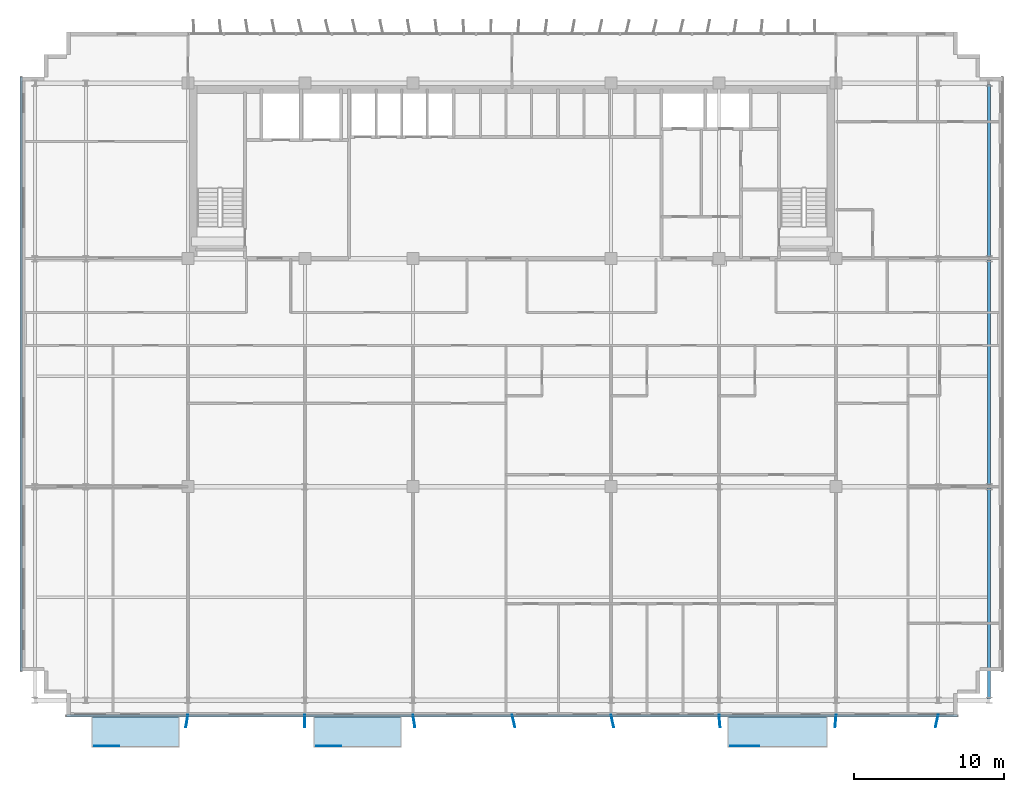
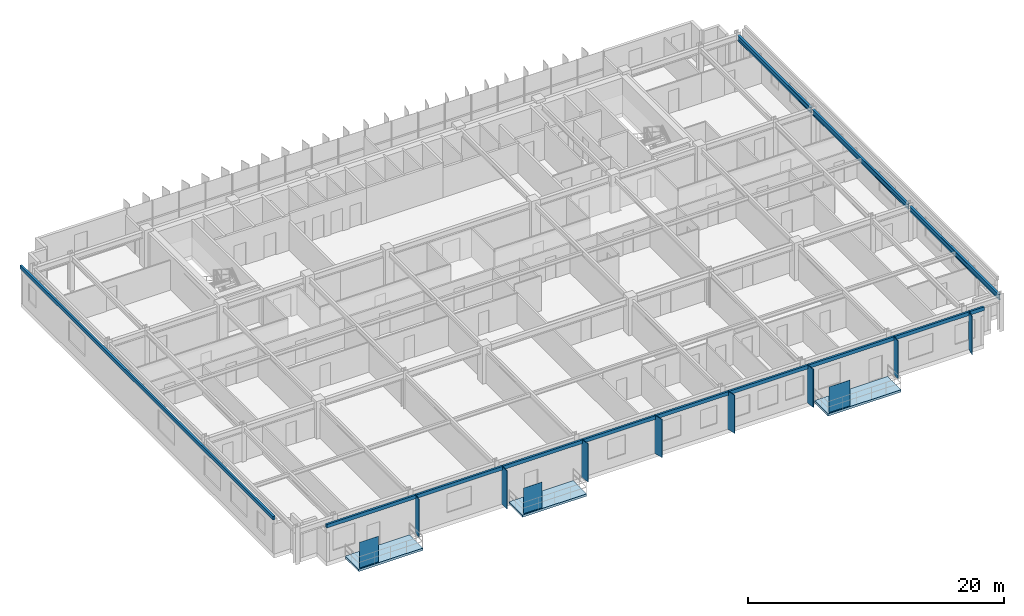
# One storey, part 12 of 22: 13 plates, 3 beams, 3 slabs.
"""IFC4 building model written with IfcOpenShell, lengths in metres."""

from ifc_helpers import new_model, si_unit, direction, frame, origin, origin_2d, place, context, subcontext, project, spatial, polyline, rectangle, i_section, outline, extrude, source, transform, mapped, material, layer, layer_set, material_profile, profile_set, type_object, element, save


model = new_model("IFC4")

# Units and contexts
model_context = context("Model", 3, precision=1e-05, world=origin(), true_north=direction((0.0, 1.0)))
body_context = subcontext(model_context, "Body", "Model", "MODEL_VIEW")
ifc_project = project(units=[si_unit("LENGTHUNIT", "METRE"), si_unit("AREAUNIT", "SQUARE_METRE"), si_unit("VOLUMEUNIT", "CUBIC_METRE"), si_unit("PLANEANGLEUNIT", "RADIAN"), si_unit("MASSUNIT", "GRAM", prefix="KILO")], contexts=[model_context])

# Site, building, storey
site_placement = place(None, origin())
site = spatial("IfcSite", under=ifc_project, at=site_placement, CompositionType="ELEMENT")
building_placement = place(site_placement, origin())
building = spatial("IfcBuilding", under=site, at=building_placement, Name="Trelvane Seafront Commons", CompositionType="ELEMENT")
storey_placement = place(building_placement, frame((0.0, 0.0, 81.699951171875)))
storey = spatial("IfcBuildingStorey", under=building, at=storey_placement, Name="L20", CompositionType="ELEMENT", Elevation=81.699951171875)

# Beams
ifc_material_1 = material(Name="Steel SM355 (S355)", Category="steel")
ifc_material_profile = material_profile(ifc_material_1, i_section(OverallWidth=0.199951171875, OverallDepth=0.5, WebThickness=0.010009765625, FlangeThickness=0.01611328125, at=origin_2d()), Name="H-500x200x10x16")
ifc_profile_set = profile_set([ifc_material_profile], Name="Steel SM355 (S355)")
beam_type = type_object("IfcBeamType", Name="STR-BM-H500", PredefinedType="BEAM", material=ifc_profile_set)
shared_shape_1 = source(origin(), body_context, "Body", "SweptSolid", [
    extrude(i_section(OverallWidth=0.199951171875, OverallDepth=0.5, WebThickness=0.010009765625, FlangeThickness=0.01611328125, at=origin_2d()), origin(), (0.0, 0.0, 1.0), 14.050048828125),
])
beam_1_placement = place(storey_placement, frame((69.0, 4.050048828125, 3.090087890625), z_axis=(0.0, 1.0, 0.0), x_axis=(-1.0, 0.0, 0.0)))
element("IfcBeam", 1, at=beam_1_placement, inside=storey, type_object=beam_type, Name="L20 Primary Girder G-64", PredefinedType="BEAM", context=body_context, shape_type="MappedRepresentation", body=[
    mapped(shared_shape_1, transform((0.0, 0.0, 0.0), x_axis=(1.0, 0.0, 0.0), y_axis=(0.0, 1.0, 0.0), z_axis=(0.0, 0.0, 1.0), scale=1.0)),
])
shared_shape_2 = source(origin(), body_context, "Body", "SweptSolid", [
    extrude(i_section(OverallWidth=0.199951171875, OverallDepth=0.5, WebThickness=0.010009765625, FlangeThickness=0.01611328125, at=origin_2d()), origin(), (0.0, 0.0, 1.0), 15.0),
])
beam_2_placement = place(storey_placement, frame((69.0, 18.300048828125, 3.090087890625), z_axis=(0.0, 1.0, 0.0), x_axis=(-1.0, 0.0, 0.0)))
element("IfcBeam", 2, at=beam_2_placement, inside=storey, type_object=beam_type, Name="L20 Primary Girder G-65", PredefinedType="BEAM", context=body_context, shape_type="MappedRepresentation", body=[
    mapped(shared_shape_2, transform((0.0, 0.0, 0.0), x_axis=(1.0, 0.0, 0.0), y_axis=(0.0, 1.0, 0.0), z_axis=(0.0, 0.0, 1.0), scale=1.0)),
])
shared_shape_3 = source(origin(), body_context, "Body", "SweptSolid", [
    extrude(i_section(OverallWidth=0.199951171875, OverallDepth=0.5, WebThickness=0.010009765625, FlangeThickness=0.01611328125, at=origin_2d()), origin(), (0.0, 0.0, 1.0), 11.5),
])
beam_3_placement = place(storey_placement, frame((69.0, 33.5, 3.090087890625), z_axis=(0.0, 1.0, 0.0), x_axis=(-1.0, 0.0, 0.0)))
element("IfcBeam", 3, at=beam_3_placement, inside=storey, type_object=beam_type, Name="L20 Primary Girder G-66", PredefinedType="BEAM", context=body_context, shape_type="MappedRepresentation", body=[
    mapped(shared_shape_3, transform((0.0, 0.0, 0.0), x_axis=(1.0, 0.0, 0.0), y_axis=(0.0, 1.0, 0.0), z_axis=(0.0, 0.0, 1.0), scale=1.0)),
])

# Slabs
ifc_material_2 = material(Name="Concrete C40/50", Category="concrete")
ifc_layer_1 = layer(ifc_material_2, 0.219970703125, Name="ARCH-BALC-220")
ifc_layer_set_1 = layer_set([ifc_layer_1], Name="Concrete C40/50")
slab_type = type_object("IfcSlabType", Name="ARCH-BALC-220", PredefinedType="FLOOR", material=ifc_layer_set_1)
slab_1_placement = place(storey_placement, frame((0.0, 0.0, -0.219970703125)))
element("IfcSlab", 4, at=slab_1_placement, inside=storey, type_object=slab_type, Name="L20 Cantilevered Tree Balcony Loggia 1", PredefinedType="FLOOR", context=body_context, shape_type="SweptSolid", body=[
    extrude(outline(polyline([(9.199951171875, 0.800048828125), (15.0, 0.800048828125), (15.0, 2.89990234375), (9.199951171875, 2.89990234375), (9.199951171875, 0.800048828125)])), origin(), (0.0, 0.0, 1.0), 0.219970703125),
])
slab_2_placement = place(storey_placement, frame((0.0, 0.0, -0.219970703125)))
element("IfcSlab", 5, at=slab_2_placement, inside=storey, type_object=slab_type, Name="L20 Cantilevered Tree Balcony Loggia 2", PredefinedType="FLOOR", context=body_context, shape_type="SweptSolid", body=[
    extrude(outline(polyline([(24.0, 0.800048828125), (29.800048828125, 0.800048828125), (29.800048828125, 2.89990234375), (24.0, 2.89990234375), (24.0, 0.800048828125)])), origin(), (0.0, 0.0, 1.0), 0.219970703125),
])
slab_3_placement = place(storey_placement, frame((0.0, 0.0, -0.219970703125)))
element("IfcSlab", 6, at=slab_3_placement, inside=storey, type_object=slab_type, Name="L20 Cantilevered Tree Balcony Loggia 3", PredefinedType="FLOOR", context=body_context, shape_type="SweptSolid", body=[
    extrude(outline(polyline([(51.60009765625, 0.800048828125), (58.199951171875, 0.800048828125), (58.199951171875, 2.89990234375), (51.60009765625, 2.89990234375), (51.60009765625, 0.800048828125)])), origin(), (0.0, 0.0, 1.0), 0.219970703125),
])

# Plates
ifc_material_3 = material(Name="Perforated anodised aluminium screen", Category="aluminium")
ifc_layer_2 = layer(ifc_material_3, 0.01611328125, Name="ARCH-PLATE-SCREEN")
ifc_layer_set_2 = layer_set([ifc_layer_2], Name="Perforated anodised aluminium screen")
plate_type_1 = type_object("IfcPlateType", Name="ARCH-PLATE-SCREEN", PredefinedType="USERDEFINED", material=ifc_layer_set_2)
shared_shape_4 = source(origin(), body_context, "Body", "SweptSolid", [
    extrude(rectangle(XDim=1.9140625, YDim=0.01611328125, at=origin_2d()), origin(), (0.0, 0.0, 1.0), 2.449951171875),
])
plate_1_placement = place(storey_placement, frame((52.70703125, 0.919921875, 0.0), z_axis=(0.0, 0.0, 1.0), x_axis=(1.0, 0.0, 0.0)))
element("IfcPlate", 7, at=plate_1_placement, inside=storey, type_object=plate_type_1, Name="SCR-L20-00073", ObjectType="SCREEN", PredefinedType="USERDEFINED", context=body_context, shape_type="MappedRepresentation", body=[
    mapped(shared_shape_4, transform((0.0, 0.0, 0.0), x_axis=(1.0, 0.0, 0.0), y_axis=(0.0, 1.0, 0.0), z_axis=(0.0, 0.0, 1.0), scale=1.0)),
])
shared_shape_5 = source(origin(), body_context, "Body", "SweptSolid", [
    extrude(rectangle(XDim=1.681884765625, YDim=0.01611328125, at=origin_2d()), origin(), (0.0, 0.0, 1.0), 2.449951171875),
])
for number, where, z_axis, x_axis, name in (
    (8, (10.19091796875, 0.919921875, 0.0), (0.0, 0.0, 1.0), (1.0, 0.0, 0.0), "SCR-L20-00071"),
    (9, (24.990966796875, 0.919921875, 0.0), (0.0, 0.0, 1.0), (1.0, 0.0, 0.0), "SCR-L20-00072"),
):
    element("IfcPlate", number, at=place(storey_placement, frame(where, z_axis=z_axis, x_axis=x_axis)), inside=storey, type_object=plate_type_1, Name=name, ObjectType="SCREEN", PredefinedType="USERDEFINED", context=body_context, shape_type="MappedRepresentation", body=[
        mapped(shared_shape_5, transform((0.0, 0.0, 0.0), x_axis=(1.0, 0.0, 0.0), y_axis=(0.0, 1.0, 0.0), z_axis=(0.0, 0.0, 1.0), scale=1.0)),
    ])
ifc_material_4 = material(Name="Anodised pale-silver aluminium", Category="aluminium")
ifc_layer_3 = layer(ifc_material_4, 0.06005859375, Name="ARCH-PLATE-FIN900")
ifc_layer_set_3 = layer_set([ifc_layer_3], Name="Anodised pale-silver aluminium")
plate_type_2 = type_object("IfcPlateType", Name="ARCH-PLATE-FIN900", PredefinedType="USERDEFINED", material=ifc_layer_set_3)
shared_shape_6 = source(origin(), body_context, "Body", "SweptSolid", [
    extrude(rectangle(XDim=0.85009765625, YDim=0.06005859375, at=origin_2d()), origin(), (0.0, 0.0, 1.0), 3.639892578125),
])
for number, where, z_axis, x_axis, name in (
    (10, (15.532470703125, 2.580322265625, -0.02001953125), (0.0, 0.0, 1.0), (-0.15905415034, -0.987269860403, 0.0), "FIN-S-L20-00479"),
    (11, (23.398681640625, 2.574951171875, -0.02001953125), (0.0, 0.0, 1.0), (-0.003059557405, -0.999995319543, 0.0), "FIN-S-L20-00480"),
    (12, (30.66552734375, 2.580078125, -0.02001953125), (0.0, 0.0, 1.0), (0.154470701929, -0.987997369554, 0.0), "FIN-S-L20-00481"),
    (13, (37.301025390625, 2.587158203125, -0.02001953125), (0.0, 0.0, 1.0), (0.237992731884, -0.971266935281, 0.0), "FIN-S-L20-00482"),
    (14, (43.8896484375, 2.584716796875, -0.02001953125), (0.0, 0.0, 1.0), (0.210823230366, -0.977524202022, 0.0), "FIN-S-L20-00483"),
    (15, (51.035888671875, 2.576416015625, -0.02001953125), (0.0, 0.0, 1.0), (0.084583936052, -0.996416357635, 0.0), "FIN-S-L20-00484"),
    (16, (58.764892578125, 2.576416015625, -0.02001953125), (0.0, 0.0, 1.0), (-0.082822122184, -0.99656434618, 0.0), "FIN-S-L20-00485"),
    (17, (65.5107421875, 2.58447265625, -0.02001953125), (0.0, 0.0, 1.0), (-0.20987453877, -0.97772832524, 0.0), "FIN-S-L20-00486"),
):
    element("IfcPlate", number, at=place(storey_placement, frame(where, z_axis=z_axis, x_axis=x_axis)), inside=storey, type_object=plate_type_2, Name=name, ObjectType="FIN", PredefinedType="USERDEFINED", context=body_context, shape_type="MappedRepresentation", body=[
        mapped(shared_shape_6, transform((0.0, 0.0, 0.0), x_axis=(1.0, 0.0, 0.0), y_axis=(0.0, 1.0, 0.0), z_axis=(0.0, 0.0, 1.0), scale=1.0)),
    ])
ifc_layer_4 = layer(ifc_material_4, 0.179931640625, Name="ARCH-PLATE-AERO")
ifc_layer_set_4 = layer_set([ifc_layer_4], Name="Anodised pale-silver aluminium")
plate_type_3 = type_object("IfcPlateType", Name="ARCH-PLATE-AERO", PredefinedType="SHEET", material=ifc_layer_set_4)
shared_shape_7 = source(origin(), body_context, "Body", "SweptSolid", [
    extrude(rectangle(XDim=39.60009765625, YDim=0.179931640625, at=origin_2d()), origin(), (0.0, 0.0, 1.0), 0.340087890625),
])
plate_2_placement = place(storey_placement, frame((4.5, 25.699951171875, 3.27978515625), z_axis=(0.0, 0.0, 1.0), x_axis=(0.0, 1.0, 0.0)))
element("IfcPlate", 18, at=plate_2_placement, inside=storey, type_object=plate_type_3, Name="AER-L20-00069", PredefinedType="SHEET", context=body_context, shape_type="MappedRepresentation", body=[
    mapped(shared_shape_7, transform((0.0, 0.0, 0.0), x_axis=(1.0, 0.0, 0.0), y_axis=(0.0, 1.0, 0.0), z_axis=(0.0, 0.0, 1.0), scale=1.0)),
])
shared_shape_8 = source(origin(), body_context, "Body", "SweptSolid", [
    extrude(rectangle(XDim=59.39990234375, YDim=0.179931640625, at=origin_2d()), origin(), (0.0, 0.0, 1.0), 0.340087890625),
])
plate_3_placement = place(storey_placement, frame((37.199951171875, 2.93994140625, 3.27978515625), z_axis=(0.0, 0.0, 1.0), x_axis=(-1.0, 0.0, 0.0)))
element("IfcPlate", 19, at=plate_3_placement, inside=storey, type_object=plate_type_3, Name="AER-S-L20-00074", PredefinedType="SHEET", context=body_context, shape_type="MappedRepresentation", body=[
    mapped(shared_shape_8, transform((0.0, 0.0, 0.0), x_axis=(1.0, 0.0, 0.0), y_axis=(0.0, 1.0, 0.0), z_axis=(0.0, 0.0, 1.0), scale=1.0)),
])

save(model, "model.ifc")
